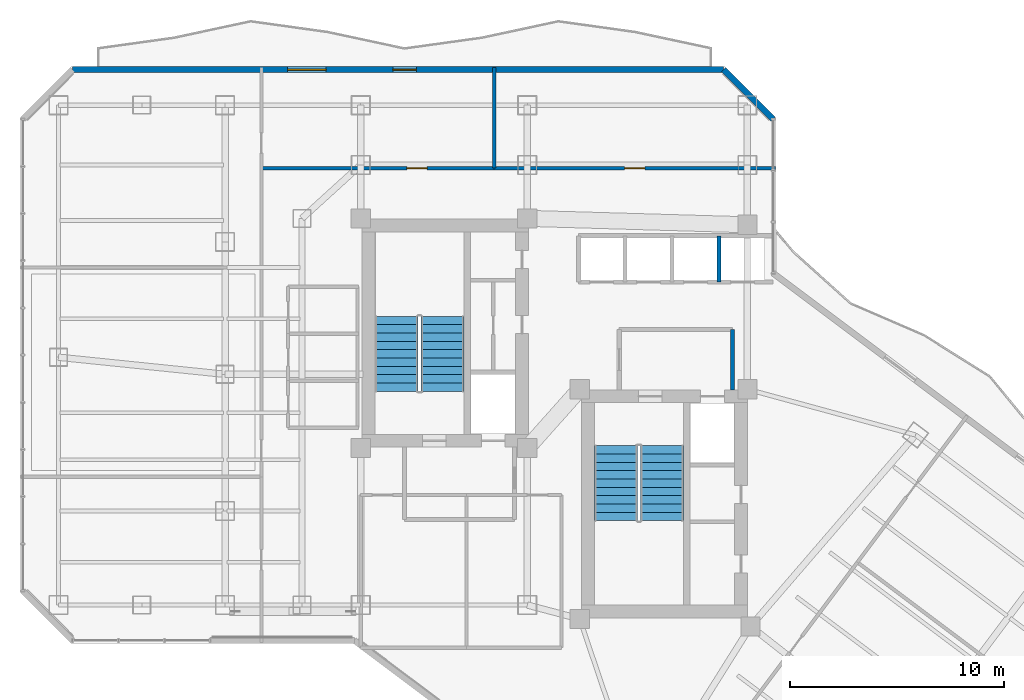
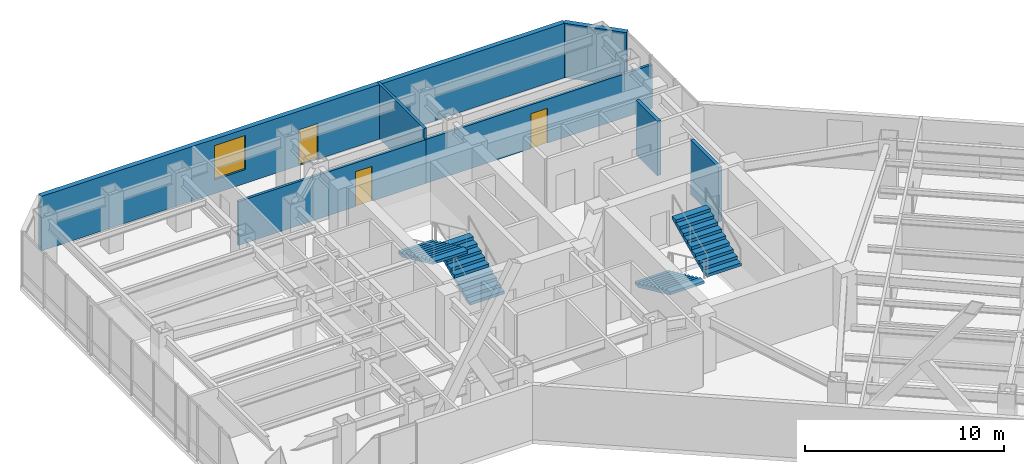
# One storey, part 24 of 29: 7 walls, 4 stair flights, 3 doors, 1 window, 4 openings, 2 elements without a shape of their own.
"""IFC4 building model written with IfcOpenShell, lengths in metres."""

from ifc_helpers import new_model, si_unit, direction, frame, frame_2d, origin, place, context, subcontext, project, spatial, polyline, rectangle, outline, extrude, material, layer, layer_set, type_object, element, fill, aggregate, save


model = new_model("IFC4")

# Units and contexts
model_context = context("Model", 3, precision=1e-05, world=origin(), true_north=direction((0.0, 1.0)))
body_context = subcontext(model_context, "Body", "Model", "MODEL_VIEW")
ifc_project = project(units=[si_unit("LENGTHUNIT", "METRE"), si_unit("AREAUNIT", "SQUARE_METRE"), si_unit("VOLUMEUNIT", "CUBIC_METRE"), si_unit("PLANEANGLEUNIT", "RADIAN"), si_unit("MASSUNIT", "GRAM", prefix="KILO")], contexts=[model_context])

# Site, building, storey
site_placement = place(None, origin())
site = spatial("IfcSite", under=ifc_project, at=site_placement, CompositionType="ELEMENT")
building_placement = place(site_placement, origin())
building = spatial("IfcBuilding", under=site, at=building_placement, Name="Hatsunagi Terrace Concourse", CompositionType="ELEMENT")
storey_placement = place(building_placement, frame((0.0, 0.0, 108.449951171875)))
storey = spatial("IfcBuildingStorey", under=building, at=storey_placement, Name="L28", CompositionType="ELEMENT", Elevation=108.449951171875)

# Wall, opening, door
ifc_material_1 = material(Name="Acoustic mineral board", Category="gypsum")
ifc_layer_1 = layer(ifc_material_1, 0.14990234375)
ifc_layer_set_1 = layer_set([ifc_layer_1], Name="PartitionWall_EI60_150")
wall_type_1 = type_object("IfcWallType", Name="PartitionWall_EI60_150", PredefinedType="PARTITIONING", material=ifc_layer_set_1)
wall_1_placement = place(storey_placement, frame((20.89990234375, 45.64990234375, 0.0), z_axis=(0.0, 0.0, 1.0), x_axis=(1.0, 0.0, 0.0)))
wall_1 = element("IfcWall", 1, at=wall_1_placement, inside=storey, type_object=wall_type_1, Name="Interior Partition IW-L28-038", PredefinedType="PARTITIONING", context=body_context, shape_type="SweptSolid", body=[
    extrude(rectangle(XDim=10.900146484375, YDim=0.14990234375, at=frame_2d((5.4501953125, 0.0))), origin(), (0.0, 0.0, 1.0), 2.695068359375),
])
opening_1_placement = place(wall_1_placement, frame((6.81298828125, 0.0, 0.0)))
opening_1 = element("IfcOpeningElement", 2, at=opening_1_placement, cuts=wall_1, Name="Opening DR-095", PredefinedType="OPENING", context=body_context, shape_type="SweptSolid", body=[
    extrude(rectangle(XDim=0.949951171875, YDim=2.14990234375, at=frame_2d((0.47509765625, 1.074951171875))), frame((0.0, 0.0849609375, 0.0), z_axis=(0.0, -1.0, 0.0), x_axis=(1.0, 0.0, 0.0)), (0.0, 0.0, 1.0), 0.169921875),
])
ifc_material_2 = material(Name="Hardwood timber", Category="wood")
door_type_1 = type_object("IfcDoorType", Name="InteriorSuiteDoor_EI30_950", OperationType="NOTDEFINED", PredefinedType="DOOR", material=ifc_material_2)
door_1_placement = place(opening_1_placement, origin())
door_1 = element("IfcDoor", 3, at=door_1_placement, inside=storey, type_object=door_type_1, Name="Boardroom L28-ON1 Door", OperationType="SINGLE_SWING_RIGHT", OverallHeight=2.14990234375, OverallWidth=0.949951171875, PredefinedType="DOOR", context=body_context, shape_type="SweptSolid", body=[
    extrude(rectangle(XDim=0.949951171875, YDim=2.14990234375, at=frame_2d((0.47509765625, 1.074951171875))), frame((0.0, 0.02490234375, 0.0), z_axis=(0.0, -1.0, 0.0), x_axis=(1.0, 0.0, 0.0)), (0.0, 0.0, 1.0), 0.050048828125),
])
fill(opening_1, door_1)

# Wall
wall_2_placement = place(storey_placement, frame((31.800048828125, 45.64990234375, 0.0), z_axis=(0.0, 0.0, 1.0), x_axis=(0.0, 1.0, 0.0)))
element("IfcWall", 4, at=wall_2_placement, inside=storey, type_object=wall_type_1, Name="Interior Partition IW-L28-039", PredefinedType="PARTITIONING", context=body_context, shape_type="SweptSolid", body=[
    extrude(rectangle(XDim=4.710205078125, YDim=0.14990234375, at=frame_2d((2.35498046875, 0.0))), origin(), (0.0, 0.0, 1.0), 3.35009765625),
])

# Wall, opening, door
wall_3_placement = place(storey_placement, frame((31.800048828125, 45.64990234375, 0.0), z_axis=(0.0, 0.0, 1.0), x_axis=(1.0, 0.0, 0.0)))
wall_3 = element("IfcWall", 5, at=wall_3_placement, inside=storey, type_object=wall_type_1, Name="Interior Partition IW-L28-040", PredefinedType="PARTITIONING", context=body_context, shape_type="SweptSolid", body=[
    extrude(rectangle(XDim=13.159912109375, YDim=0.14990234375, at=frame_2d((6.580078125, 0.0))), origin(), (0.0, 0.0, 1.0), 2.695068359375),
])
opening_2_placement = place(wall_3_placement, frame((6.10498046875, 0.0, 0.0)))
opening_2 = element("IfcOpeningElement", 6, at=opening_2_placement, cuts=wall_3, Name="Opening DR-095", PredefinedType="OPENING", context=body_context, shape_type="SweptSolid", body=[
    extrude(rectangle(XDim=0.949951171875, YDim=2.14990234375, at=frame_2d((0.47509765625, 1.074951171875))), frame((0.0, 0.0849609375, 0.0), z_axis=(0.0, -1.0, 0.0), x_axis=(1.0, 0.0, 0.0)), (0.0, 0.0, 1.0), 0.169921875),
])
door_2_placement = place(opening_2_placement, origin())
door_2 = element("IfcDoor", 7, at=door_2_placement, inside=storey, type_object=door_type_1, Name="Boardroom L28-ON2 Door", OperationType="SINGLE_SWING_RIGHT", OverallHeight=2.14990234375, OverallWidth=0.949951171875, PredefinedType="DOOR", context=body_context, shape_type="SweptSolid", body=[
    extrude(rectangle(XDim=0.949951171875, YDim=2.14990234375, at=frame_2d((0.47509765625, 1.074951171875))), frame((0.0, 0.02490234375, 0.0), z_axis=(0.0, -1.0, 0.0), x_axis=(1.0, 0.0, 0.0)), (0.0, 0.0, 1.0), 0.050048828125),
])
fill(opening_2, door_2)

# Walls
ifc_material_3 = material(Name="Acoustic mineral board", Category="gypsum")
ifc_layer_2 = layer(ifc_material_3, 0.199951171875)
ifc_layer_set_2 = layer_set([ifc_layer_2], Name="ShaftWall_EI120_200")
wall_type_2 = type_object("IfcWallType", Name="ShaftWall_EI120_200", PredefinedType="STANDARD", material=ifc_layer_set_2)
wall_4_placement = place(storey_placement, frame((42.949951171875, 35.27001953125, 0.0), z_axis=(0.0, 0.0, 1.0), x_axis=(0.0, 1.0, 0.0)))
element("IfcWall", 8, at=wall_4_placement, inside=storey, type_object=wall_type_2, Name="Interior Partition IW-L28-010", PredefinedType="STANDARD", context=body_context, shape_type="SweptSolid", body=[
    extrude(rectangle(XDim=2.830078125, YDim=0.199951171875, at=frame_2d((1.4150390625, 0.0))), origin(), (0.0, 0.0, 1.0), 3.35009765625),
])
wall_5_placement = place(storey_placement, frame((42.320068359375, 40.320068359375, 0.0), z_axis=(0.0, 0.0, 1.0), x_axis=(0.0, 1.0, 0.0)))
element("IfcWall", 9, at=wall_5_placement, inside=storey, type_object=wall_type_2, Name="Interior Partition IW-L28-016", PredefinedType="STANDARD", context=body_context, shape_type="SweptSolid", body=[
    extrude(rectangle(XDim=2.159912109375, YDim=0.199951171875, at=frame_2d((1.080078125, 0.0))), origin(), (0.0, 0.0, 1.0), 3.35009765625),
])

# Wall, openings, door, window
ifc_material_4 = material(Name="Autoclaved Lightweight Concrete and Terracotta Cladding", Category="masonry")
ifc_layer_3 = layer(ifc_material_4, 0.280029296875)
ifc_layer_set_3 = layer_set([ifc_layer_3], Name="TerracottaSpandrelWall_280")
wall_type_3 = type_object("IfcWallType", Name="TerracottaSpandrelWall_280", PredefinedType="STANDARD", material=ifc_layer_set_3)
wall_6_placement = place(storey_placement, frame((12.05810546875, 50.260009765625, 0.0), z_axis=(0.0, 0.0, 1.0), x_axis=(1.0, 0.0, 0.0)))
wall_6 = element("IfcWall", 10, at=wall_6_placement, inside=storey, type_object=wall_type_3, Name="Exterior Spandrel Wall EW-L28-11", PredefinedType="STANDARD", context=body_context, shape_type="SweptSolid", body=[
    extrude(rectangle(XDim=30.48388671875, YDim=0.280029296875, at=frame_2d((15.241943359375, 0.0))), origin(), (0.0, 0.0, 1.0), 3.35009765625),
])
opening_3_placement = place(wall_6_placement, frame((14.991943359375, 0.0, 0.0)))
opening_3 = element("IfcOpeningElement", 11, at=opening_3_placement, cuts=wall_6, Name="Opening BD-01", PredefinedType="OPENING", context=body_context, shape_type="SweptSolid", body=[
    extrude(rectangle(XDim=1.10009765625, YDim=2.199951171875, at=frame_2d((0.550048828125, 1.10009765625))), frame((0.0, 0.14990234375, 0.0), z_axis=(0.0, -1.0, 0.0), x_axis=(1.0, 0.0, 0.0)), (0.0, 0.0, 1.0), 0.300048828125),
])
opening_4_placement = place(wall_6_placement, frame((10.073974609375, 0.0, 0.85009765625)))
opening_4 = element("IfcOpeningElement", 12, at=opening_4_placement, cuts=wall_6, Name="Opening WIN-03", PredefinedType="OPENING", context=body_context, shape_type="SweptSolid", body=[
    extrude(rectangle(XDim=1.800048828125, YDim=2.10009765625, at=frame_2d((0.89990234375, 1.050048828125))), frame((0.0, 0.14990234375, 0.0), z_axis=(0.0, -1.0, 0.0), x_axis=(1.0, 0.0, 0.0)), (0.0, 0.0, 1.0), 0.300048828125),
])
ifc_material_5 = material(Name="Galvanised Steel and Laminated Safety Glass", Category="steel")
door_type_2 = type_object("IfcDoorType", Name="BalconyTerraceAccessDoor_1100x2200", OperationType="SINGLE_SWING_LEFT", PredefinedType="DOOR", material=ifc_material_5)
door_3_placement = place(opening_3_placement, origin())
door_3 = element("IfcDoor", 13, at=door_3_placement, inside=storey, type_object=door_type_2, Name="Engawa Balcony Door L28-BN", OperationType="SINGLE_SWING_RIGHT", OverallHeight=2.199951171875, OverallWidth=1.10009765625, PredefinedType="DOOR", context=body_context, shape_type="SweptSolid", body=[
    extrude(rectangle(XDim=1.10009765625, YDim=2.199951171875, at=frame_2d((0.550048828125, 1.10009765625))), frame((0.0, 0.02490234375, 0.0), z_axis=(0.0, -1.0, 0.0), x_axis=(1.0, 0.0, 0.0)), (0.0, 0.0, 1.0), 0.050048828125),
])
fill(opening_3, door_3)
ifc_material_6 = material(Name="Thermally Broken Aluminium and Low-E Triple Glazing", Category="aluminium")
window_type = type_object("IfcWindowType", Name="OfficeCornerFeatureWindow_1800x2100", PartitioningType="SINGLE_PANEL", PredefinedType="WINDOW", material=ifc_material_6)
window_placement = place(opening_4_placement, origin())
window = element("IfcWindow", 14, at=window_placement, inside=storey, type_object=window_type, Name="Balcony Daylighting Window L28-11-1", OverallHeight=2.10009765625, OverallWidth=1.800048828125, PartitioningType="SINGLE_PANEL", PredefinedType="WINDOW", context=body_context, shape_type="SweptSolid", body=[
    extrude(rectangle(XDim=1.800048828125, YDim=2.10009765625, at=frame_2d((0.89990234375, 1.050048828125))), frame((0.0, 0.030029296875, 0.0), z_axis=(0.0, -1.0, 0.0), x_axis=(1.0, 0.0, 0.0)), (0.0, 0.0, 1.0), 0.06005859375),
])
fill(opening_4, window)

# Wall
wall_7_placement = place(storey_placement, frame((42.5419921875, 50.260009765625, 0.0), z_axis=(0.0, 0.0, 1.0), x_axis=(0.707106781187, -0.707106781187, 0.0)))
element("IfcWall", 15, at=wall_7_placement, inside=storey, type_object=wall_type_3, Name="Exterior Spandrel Wall EW-L28-12", PredefinedType="STANDARD", context=body_context, shape_type="SweptSolid", body=[
    extrude(rectangle(XDim=3.2783203125, YDim=0.280029296875, at=frame_2d((1.63916015625, 0.0))), origin(), (0.0, 0.0, 1.0), 3.35009765625),
])

# Stair, stair flights
ifc_material_7 = material(Name="Concrete Fc42", Category="concrete")
stair_type = type_object("IfcStairType", Name="DoglegExitStair_Tower2000_20R_180", PredefinedType="HALF_TURN_STAIR", material=ifc_material_7)
stair_1_placement = place(storey_placement, origin())
stair_1 = element("IfcStair", 16, at=stair_1_placement, inside=storey, type_object=stair_type, Name="L28 Core A Protected Exit Stair ST-A", PredefinedType="HALF_TURN_STAIR")
ifc_material_8 = material(Name="Concrete Fc42", Category="concrete")
stair_flight_type = type_object("IfcStairFlightType", Name="DoglegStairFlight_Tower2000_20R_180", PredefinedType="STRAIGHT", material=ifc_material_8)
stair_flight_1_placement = place(storey_placement, frame((29.3798828125, 35.199951171875, 0.0), z_axis=(0.0, 0.0, 1.0), x_axis=(0.0, 1.0, 0.0)))
stair_flight_1 = element("IfcStairFlight", 17, at=stair_flight_1_placement, type_object=stair_flight_type, Name="ST-A flight 1", NumberOfRisers=10, NumberOfTreads=9, PredefinedType="STRAIGHT", RiserHeight=0.18, TreadLength=0.39, context=body_context, shape_type="SweptSolid", body=[
    extrude(outline(polyline([(0.0, 0.0), (0.0, 0.179931640625), (0.389892578125, 0.179931640625), (0.389892578125, 0.360107421875), (0.780029296875, 0.360107421875), (0.780029296875, 0.5400390625), (1.169921875, 0.5400390625), (1.169921875, 0.719970703125), (1.56005859375, 0.719970703125), (1.56005859375, 0.89990234375), (1.949951171875, 0.89990234375), (1.949951171875, 1.080078125), (2.340087890625, 1.080078125), (2.340087890625, 1.260009765625), (2.72998046875, 1.260009765625), (2.72998046875, 1.43994140625), (3.1201171875, 1.43994140625), (3.1201171875, 1.6201171875), (3.510009765625, 1.6201171875), (3.510009765625, 1.800048828125), (3.510009765625, 1.454833984375), (0.357666015625, 0.0), (0.0, 0.0)])), frame((0.0, 1.0, 0.0), z_axis=(0.0, -1.0, 0.0), x_axis=(1.0, 0.0, 0.0)), (0.0, 0.0, 1.0), 2.0),
])
stair_flight_2_placement = place(storey_placement, frame((27.22998046875, 38.7099609375, 1.800048828125), z_axis=(0.0, 0.0, 1.0), x_axis=(0.0, -1.0, 0.0)))
stair_flight_2 = element("IfcStairFlight", 18, at=stair_flight_2_placement, type_object=stair_flight_type, Name="ST-A flight 2", NumberOfRisers=10, NumberOfTreads=9, PredefinedType="STRAIGHT", RiserHeight=0.18, TreadLength=0.39, context=body_context, shape_type="SweptSolid", body=[
    extrude(outline(polyline([(0.0, 0.0), (0.0, 0.179931640625), (0.389892578125, 0.179931640625), (0.389892578125, 0.360107421875), (0.780029296875, 0.360107421875), (0.780029296875, 0.5400390625), (1.169921875, 0.5400390625), (1.169921875, 0.719970703125), (1.56005859375, 0.719970703125), (1.56005859375, 0.89990234375), (1.949951171875, 0.89990234375), (1.949951171875, 1.080078125), (2.340087890625, 1.080078125), (2.340087890625, 1.260009765625), (2.72998046875, 1.260009765625), (2.72998046875, 1.43994140625), (3.1201171875, 1.43994140625), (3.1201171875, 1.6201171875), (3.510009765625, 1.6201171875), (3.510009765625, 1.800048828125), (3.510009765625, 1.454833984375), (0.357666015625, 0.0), (0.0, 0.0)])), frame((0.0, 1.0, 0.0), z_axis=(0.0, -1.0, 0.0), x_axis=(1.0, 0.0, 0.0)), (0.0, 0.0, 1.0), 2.0),
])
aggregate(stair_1, [stair_flight_1, stair_flight_2])

stair_2_placement = place(storey_placement, origin())
stair_2 = element("IfcStair", 19, at=stair_2_placement, inside=storey, type_object=stair_type, Name="L28 Core B Protected Exit Stair ST-B", PredefinedType="HALF_TURN_STAIR")
stair_flight_3_placement = place(storey_placement, frame((37.5, 32.659912109375, 0.0), z_axis=(0.0, 0.0, 1.0), x_axis=(0.0, -1.0, 0.0)))
stair_flight_3 = element("IfcStairFlight", 20, at=stair_flight_3_placement, type_object=stair_flight_type, Name="ST-B flight 1", NumberOfRisers=10, NumberOfTreads=9, PredefinedType="STRAIGHT", RiserHeight=0.18, TreadLength=0.39, context=body_context, shape_type="SweptSolid", body=[
    extrude(outline(polyline([(0.0, 0.0), (0.0, 0.179931640625), (0.389892578125, 0.179931640625), (0.389892578125, 0.360107421875), (0.780029296875, 0.360107421875), (0.780029296875, 0.5400390625), (1.169921875, 0.5400390625), (1.169921875, 0.719970703125), (1.56005859375, 0.719970703125), (1.56005859375, 0.89990234375), (1.949951171875, 0.89990234375), (1.949951171875, 1.080078125), (2.340087890625, 1.080078125), (2.340087890625, 1.260009765625), (2.72998046875, 1.260009765625), (2.72998046875, 1.43994140625), (3.1201171875, 1.43994140625), (3.1201171875, 1.6201171875), (3.510009765625, 1.6201171875), (3.510009765625, 1.800048828125), (3.510009765625, 1.454833984375), (0.357666015625, 0.0), (0.0, 0.0)])), frame((0.0, 1.0, 0.0), z_axis=(0.0, -1.0, 0.0), x_axis=(1.0, 0.0, 0.0)), (0.0, 0.0, 1.0), 2.0),
])
stair_flight_4_placement = place(storey_placement, frame((39.64990234375, 29.14990234375, 1.800048828125), z_axis=(0.0, 0.0, 1.0), x_axis=(0.0, 1.0, 0.0)))
stair_flight_4 = element("IfcStairFlight", 21, at=stair_flight_4_placement, type_object=stair_flight_type, Name="ST-B flight 2", NumberOfRisers=10, NumberOfTreads=9, PredefinedType="STRAIGHT", RiserHeight=0.18, TreadLength=0.39, context=body_context, shape_type="SweptSolid", body=[
    extrude(outline(polyline([(0.0, 0.0), (0.0, 0.179931640625), (0.389892578125, 0.179931640625), (0.389892578125, 0.360107421875), (0.780029296875, 0.360107421875), (0.780029296875, 0.5400390625), (1.169921875, 0.5400390625), (1.169921875, 0.719970703125), (1.56005859375, 0.719970703125), (1.56005859375, 0.89990234375), (1.949951171875, 0.89990234375), (1.949951171875, 1.080078125), (2.340087890625, 1.080078125), (2.340087890625, 1.260009765625), (2.72998046875, 1.260009765625), (2.72998046875, 1.43994140625), (3.1201171875, 1.43994140625), (3.1201171875, 1.6201171875), (3.510009765625, 1.6201171875), (3.510009765625, 1.800048828125), (3.510009765625, 1.454833984375), (0.357666015625, 0.0), (0.0, 0.0)])), frame((0.0, 1.0, 0.0), z_axis=(0.0, -1.0, 0.0), x_axis=(1.0, 0.0, 0.0)), (0.0, 0.0, 1.0), 2.0),
])
aggregate(stair_2, [stair_flight_3, stair_flight_4])

save(model, "model.ifc")
